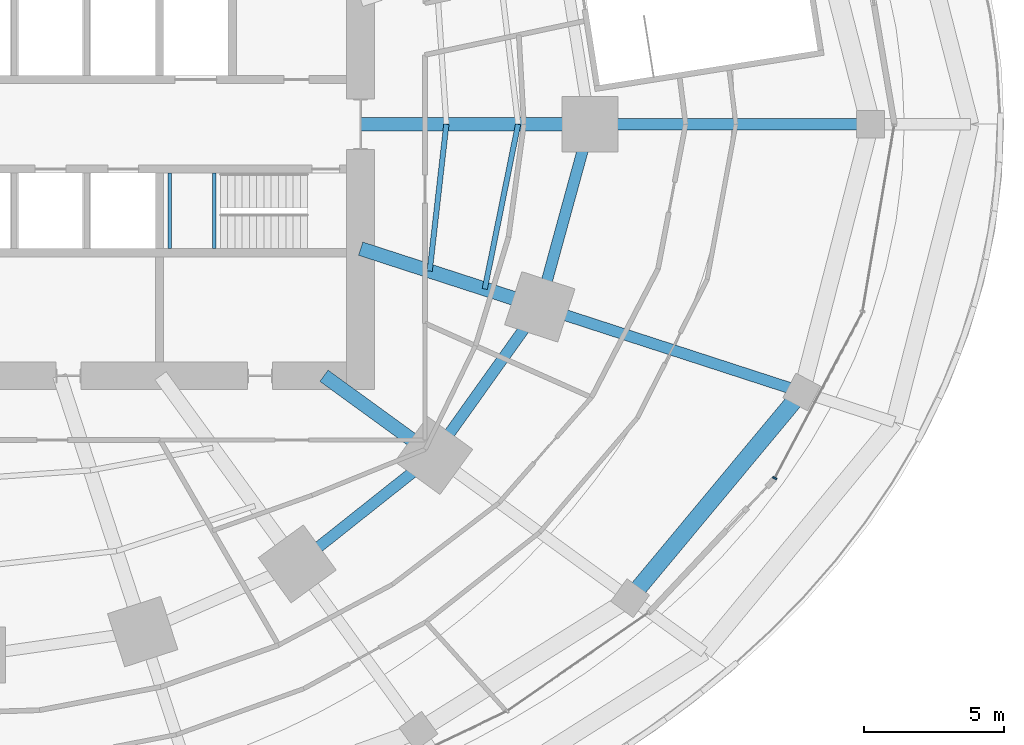
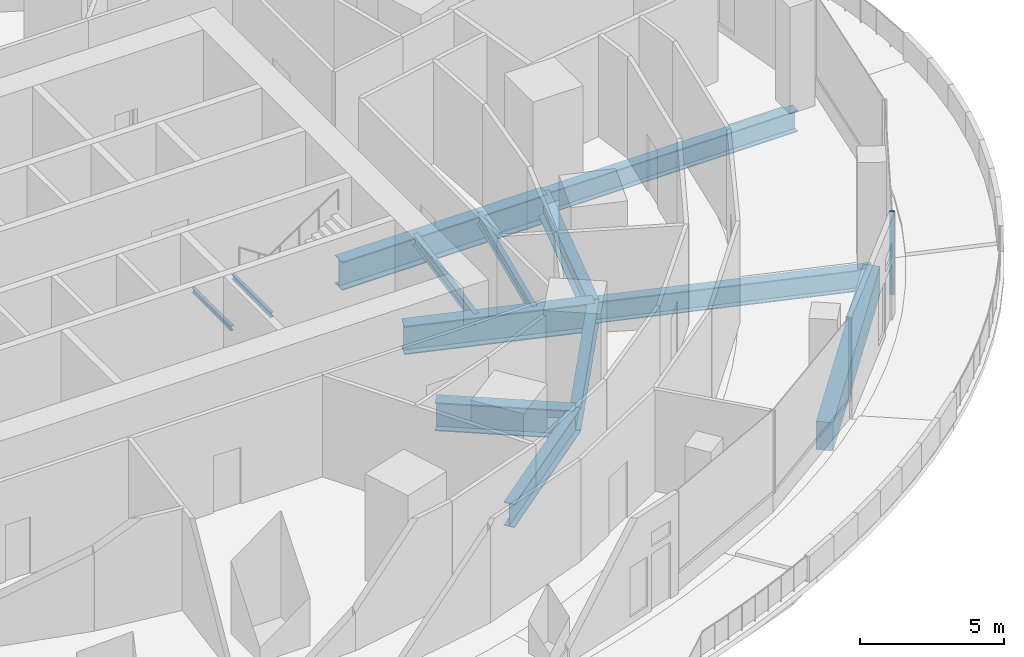
# One storey, part 7 of 26: 13 beams, 1 member, 1 element without a shape of its own.
"""IFC4 building model written with IfcOpenShell, lengths in metres."""

from ifc_helpers import new_model, si_unit, direction, frame, origin, origin_2d, place, context, subcontext, project, spatial, rectangle, i_section, extrude, material, material_profile, profile_set, type_object, element, aggregate, save


model = new_model("IFC4")

# Units and contexts
model_context = context("Model", 3, precision=1e-05, world=origin(), true_north=direction((0.0, 1.0)))
body_context = subcontext(model_context, "Body", "Model", "MODEL_VIEW")
ifc_project = project(units=[si_unit("LENGTHUNIT", "METRE"), si_unit("AREAUNIT", "SQUARE_METRE"), si_unit("VOLUMEUNIT", "CUBIC_METRE"), si_unit("PLANEANGLEUNIT", "RADIAN"), si_unit("MASSUNIT", "GRAM", prefix="KILO")], contexts=[model_context])

# Site, building, storey
site_placement = place(None, origin())
site = spatial("IfcSite", under=ifc_project, at=site_placement, CompositionType="ELEMENT")
building_placement = place(site_placement, origin())
building = spatial("IfcBuilding", under=site, at=building_placement, Name="Marramba Exchange Tower", CompositionType="ELEMENT")
storey_placement = place(building_placement, frame((0.0, 0.0, 15.10009765625)))
storey = spatial("IfcBuildingStorey", under=building, at=storey_placement, Name="L03", CompositionType="ELEMENT", Elevation=15.10009765625)

# Beams
ifc_material_1 = material(Name="Concrete N50", Category="concrete")
ifc_material_profile_1 = material_profile(ifc_material_1, rectangle(XDim=0.60009765625, YDim=1.199951171875, at=origin_2d()), Name="RC 600x1200")
ifc_profile_set_1 = profile_set([ifc_material_profile_1], Name="Concrete N50")
beam_type_1 = type_object("IfcBeamType", Name="Edge beam RC 600x1200 N50", PredefinedType="SPANDREL", material=ifc_profile_set_1)
beam_1_placement = place(storey_placement, frame((23.34228515625, -16.959228515625, -0.800048828125), z_axis=(0.639553814052, 0.768746329377, 0.0), x_axis=(-0.768746329377, 0.639553814052, 0.0)))
element("IfcBeam", 1, at=beam_1_placement, inside=storey, type_object=beam_type_1, Name="Edge beam L03 P3C19", PredefinedType="SPANDREL", context=body_context, shape_type="SweptSolid", body=[
    extrude(rectangle(XDim=0.60009765625, YDim=1.199951171875, at=origin_2d()), origin(), (0.0, 0.0, 1.0), 9.599853515625),
])
ifc_material_2 = material(Name="Steel AS/NZS 3679.1 grade 300", Category="steel")
ifc_material_profile_2 = material_profile(ifc_material_2, i_section(OverallWidth=0.18994140625, OverallDepth=0.4541015625, WebThickness=0.008544921875, FlangeThickness=0.0126953125, FilletRadius=0.011474609375, at=origin_2d()), Name="460UB67.1")
ifc_profile_set_2 = profile_set([ifc_material_profile_2], Name="Steel AS/NZS 3679.1 grade 300")
beam_type_2 = type_object("IfcBeamType", Name="Floor joist 460UB67.1", PredefinedType="JOIST", material=ifc_profile_set_2)
beam_2_placement = place(storey_placement, frame((16.169677734375, -5.25390625, -0.427001953125), z_axis=(0.112888968594, 0.993607609054, 0.0), x_axis=(-0.993607609054, 0.112888968594, 0.0)))
element("IfcBeam", 2, at=beam_2_placement, inside=storey, type_object=beam_type_2, Name="Joist L03 bay 20 row 1", PredefinedType="JOIST", context=body_context, shape_type="SweptSolid", body=[
    extrude(i_section(OverallWidth=0.18994140625, OverallDepth=0.4541015625, WebThickness=0.008544921875, FlangeThickness=0.0126953125, FilletRadius=0.011474609375, at=origin_2d()), origin(), (0.0, 0.0, 1.0), 5.28759765625),
])
beam_3_placement = place(storey_placement, frame((18.1396484375, -5.893798828125, -0.427001953125), z_axis=(0.198489047047, 0.980103105904, 0.0), x_axis=(-0.980103105904, 0.198489047047, 0.0)))
element("IfcBeam", 3, at=beam_3_placement, inside=storey, type_object=beam_type_2, Name="Joist L03 bay 20 row 2", PredefinedType="JOIST", context=body_context, shape_type="SweptSolid", body=[
    extrude(i_section(OverallWidth=0.18994140625, OverallDepth=0.4541015625, WebThickness=0.008544921875, FlangeThickness=0.0126953125, FilletRadius=0.011474609375, at=origin_2d()), origin(), (0.0, 0.0, 1.0), 6.013427734375),
])

# Curtain wall, member
ifc_material_3 = material(Name="Aluminium framing, bronze anodised", Category="aluminium")
curtain_wall_type = type_object("IfcCurtainWallType", Name="Podium ribbon curtain wall", PredefinedType="USERDEFINED", material=ifc_material_3)
curtain_wall_placement = place(storey_placement, origin())
curtain_wall = element("IfcCurtainWall", 4, at=curtain_wall_placement, inside=storey, type_object=curtain_wall_type, Name="Curtain wall CW2 L03 F29-F30", ObjectType="RIBBON CURTAIN WALL", PredefinedType="USERDEFINED")
ifc_material_4 = material(Name="Aluminium mullion, bronze anodised", Category="aluminium")
ifc_material_profile_3 = material_profile(ifc_material_4, rectangle(XDim=0.159912109375, YDim=0.06005859375, at=origin_2d()), Name="CW2 mullion 60x160")
ifc_profile_set_3 = profile_set([ifc_material_profile_3], Name="Aluminium mullion, bronze anodised")
member_type = type_object("IfcMemberType", Name="Podium ribbon curtain wall mullion", PredefinedType="MULLION", material=ifc_profile_set_3)
member_placement = place(storey_placement, frame((28.516845703125, -12.663818359375, 0.7998046875), z_axis=(0.0, 0.0, 1.0), x_axis=(-0.884188109553, 0.467131016872, 0.0)))
member = element("IfcMember", 5, at=member_placement, type_object=member_type, Name="CW2 mullion 1", PredefinedType="MULLION", context=body_context, shape_type="SweptSolid", body=[
    extrude(rectangle(XDim=0.159912109375, YDim=0.06005859375, at=origin_2d()), origin(), (0.0, 0.0, 1.0), 3.5),
])
aggregate(curtain_wall, [member])

# Beams
ifc_material_5 = material(Name="Steel AS/NZS 3679.2 grade 300", Category="steel")
ifc_material_profile_4 = material_profile(ifc_material_5, i_section(OverallWidth=0.5, OverallDepth=1.199951171875, WebThickness=0.01611328125, FlangeThickness=0.0400390625, at=origin_2d()), Name="1200WB455")
ifc_profile_set_4 = profile_set([ifc_material_profile_4], Name="Steel AS/NZS 3679.2 grade 300")
beam_type_3 = type_object("IfcBeamType", Name="Radial girder 1200WB455", PredefinedType="BEAM", material=ifc_profile_set_4)
beam_4_placement = place(storey_placement, frame((13.699951171875, 0.0, -0.800048828125), z_axis=(1.0, 0.0, 0.0), x_axis=(0.0, 1.0, 0.0)))
element("IfcBeam", 6, at=beam_4_placement, inside=storey, type_object=beam_type_3, Name="Radial girder L03 TC01", PredefinedType="BEAM", context=body_context, shape_type="SweptSolid", body=[
    extrude(i_section(OverallWidth=0.5, OverallDepth=1.199951171875, WebThickness=0.01611328125, FlangeThickness=0.0400390625, at=origin_2d()), origin(), (0.0, 0.0, 1.0), 8.199951171875),
])
beam_5_placement = place(storey_placement, frame((12.387451171875, -9.0, -0.800048828125), z_axis=(0.809025189606, -0.58777397236, 0.0), x_axis=(0.58777397236, 0.809025189606, 0.0)))
element("IfcBeam", 7, at=beam_5_placement, inside=storey, type_object=beam_type_3, Name="Radial girder L03 TC19", PredefinedType="BEAM", context=body_context, shape_type="SweptSolid", body=[
    extrude(i_section(OverallWidth=0.5, OverallDepth=1.199951171875, WebThickness=0.01611328125, FlangeThickness=0.0400390625, at=origin_2d()), origin(), (0.0, 0.0, 1.0), 4.855224609375),
])
beam_6_placement = place(storey_placement, frame((13.699951171875, -4.451416015625, -0.800048828125), z_axis=(0.951057759669, -0.309013167637, 0.0), x_axis=(0.309013167637, 0.951057759669, 0.0)))
element("IfcBeam", 8, at=beam_6_placement, inside=storey, type_object=beam_type_3, Name="Radial girder L03 TC20", PredefinedType="BEAM", context=body_context, shape_type="SweptSolid", body=[
    extrude(i_section(OverallWidth=0.5, OverallDepth=1.199951171875, WebThickness=0.01611328125, FlangeThickness=0.0400390625, at=origin_2d()), origin(), (0.0, 0.0, 1.0), 6.7392578125),
])
ifc_material_profile_5 = material_profile(ifc_material_5, i_section(OverallWidth=0.39990234375, OverallDepth=0.89990234375, WebThickness=0.01611328125, FlangeThickness=0.031982421875, at=origin_2d()), Name="900WB282")
ifc_profile_set_5 = profile_set([ifc_material_profile_5], Name="Steel AS/NZS 3679.2 grade 300")
beam_type_4 = type_object("IfcBeamType", Name="Radial girder 900WB282", PredefinedType="BEAM", material=ifc_profile_set_5)
beam_7_placement = place(storey_placement, frame((31.949951171875, 0.0, -0.650146484375), z_axis=(-1.0, 0.0, 0.0), x_axis=(0.0, -1.0, 0.0)))
element("IfcBeam", 9, at=beam_7_placement, inside=storey, type_object=beam_type_4, Name="Radial girder L03 P3C01", PredefinedType="BEAM", context=body_context, shape_type="SweptSolid", body=[
    extrude(i_section(OverallWidth=0.39990234375, OverallDepth=0.89990234375, WebThickness=0.01611328125, FlangeThickness=0.031982421875, at=origin_2d()), origin(), (0.0, 0.0, 1.0), 10.050048828125),
])
beam_8_placement = place(storey_placement, frame((29.48193359375, -9.579345703125, -0.650146484375), z_axis=(-0.951054092785, 0.309024453071, 0.0), x_axis=(-0.309024453071, -0.951054092785, 0.0)))
element("IfcBeam", 10, at=beam_8_placement, inside=storey, type_object=beam_type_4, Name="Radial girder L03 P3C20", PredefinedType="BEAM", context=body_context, shape_type="SweptSolid", body=[
    extrude(i_section(OverallWidth=0.39990234375, OverallDepth=0.89990234375, WebThickness=0.01611328125, FlangeThickness=0.031982421875, at=origin_2d()), origin(), (0.0, 0.0, 1.0), 9.85498046875),
])
ifc_material_profile_6 = material_profile(ifc_material_5, i_section(OverallWidth=0.39990234375, OverallDepth=1.0, WebThickness=0.01611328125, FlangeThickness=0.031982421875, at=origin_2d()), Name="1000WB322")
ifc_profile_set_6 = profile_set([ifc_material_profile_6], Name="Steel AS/NZS 3679.2 grade 300")
beam_type_5 = type_object("IfcBeamType", Name="Ring beam 1000WB322", PredefinedType="SPANDREL", material=ifc_profile_set_6)
beam_9_placement = place(storey_placement, frame((11.430419921875, -15.732666015625, -0.7001953125), z_axis=(0.783139438128, 0.621846138887, 0.0), x_axis=(-0.621846138887, 0.783139438128, 0.0)))
element("IfcBeam", 11, at=beam_9_placement, inside=storey, type_object=beam_type_5, Name="Ring beam L03 TC18-TC19", PredefinedType="SPANDREL", context=body_context, shape_type="SweptSolid", body=[
    extrude(i_section(OverallWidth=0.39990234375, OverallDepth=1.0, WebThickness=0.01611328125, FlangeThickness=0.031982421875, at=origin_2d()), origin(), (0.0, 0.0, 1.0), 6.23779296875),
])
beam_10_placement = place(storey_placement, frame((16.3154296875, -11.853759765625, -0.7001953125), z_axis=(0.580637181111, 0.814162430914, 0.0), x_axis=(-0.814162430914, 0.580637181111, 0.0)))
element("IfcBeam", 12, at=beam_10_placement, inside=storey, type_object=beam_type_5, Name="Ring beam L03 TC19-TC20", PredefinedType="SPANDREL", context=body_context, shape_type="SweptSolid", body=[
    extrude(i_section(OverallWidth=0.39990234375, OverallDepth=1.0, WebThickness=0.01611328125, FlangeThickness=0.031982421875, at=origin_2d()), origin(), (0.0, 0.0, 1.0), 6.5341796875),
])
beam_11_placement = place(storey_placement, frame((20.109375, -6.533935546875, -0.7001953125), z_axis=(0.264291166956, 0.964442937176, 0.0), x_axis=(-0.964442937176, 0.264291166956, 0.0)))
element("IfcBeam", 13, at=beam_11_placement, inside=storey, type_object=beam_type_5, Name="Ring beam L03 TC20-TC01", PredefinedType="SPANDREL", context=body_context, shape_type="SweptSolid", body=[
    extrude(i_section(OverallWidth=0.39990234375, OverallDepth=1.0, WebThickness=0.01611328125, FlangeThickness=0.031982421875, at=origin_2d()), origin(), (0.0, 0.0, 1.0), 6.77490234375),
])
ifc_material_profile_7 = material_profile(ifc_material_2, i_section(OverallWidth=0.133056640625, OverallDepth=0.202880859375, WebThickness=0.005859375, FlangeThickness=0.0078125, FilletRadius=0.0087890625, at=origin_2d()), Name="200UB25.4")
ifc_profile_set_7 = profile_set([ifc_material_profile_7], Name="Steel AS/NZS 3679.1 grade 300")
beam_type_6 = type_object("IfcBeamType", Name="Stair landing beam 200UB25.4", PredefinedType="BEAM", material=ifc_profile_set_7)
for number, where, z_axis, x_axis, name in (
    (14, (6.866455078125, -4.449951171875, 1.948486328125), (0.0, 1.0, 0.0), (-1.0, 0.0, 0.0), "Stair landing beam SLB1 ST2 L03 1"),
    (15, (8.46337890625, -4.449951171875, 1.948486328125), (0.0, 1.0, 0.0), (-1.0, 0.0, 0.0), "Stair landing beam SLB1 ST2 L03 2"),
):
    element("IfcBeam", number, at=place(storey_placement, frame(where, z_axis=z_axis, x_axis=x_axis)), inside=storey, type_object=beam_type_6, Name=name, PredefinedType="BEAM", context=body_context, shape_type="SweptSolid", body=[
        extrude(i_section(OverallWidth=0.133056640625, OverallDepth=0.202880859375, WebThickness=0.005859375, FlangeThickness=0.0078125, FilletRadius=0.0087890625, at=origin_2d()), origin(), (0.0, 0.0, 1.0), 2.699951171875),
    ])

save(model, "model.ifc")
